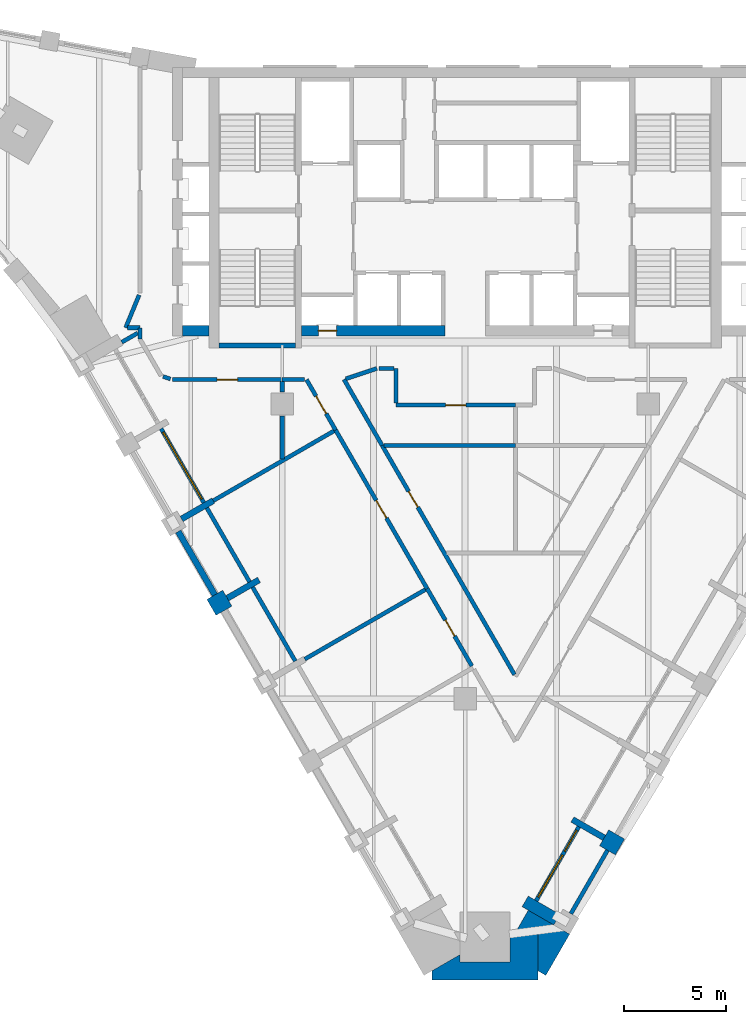
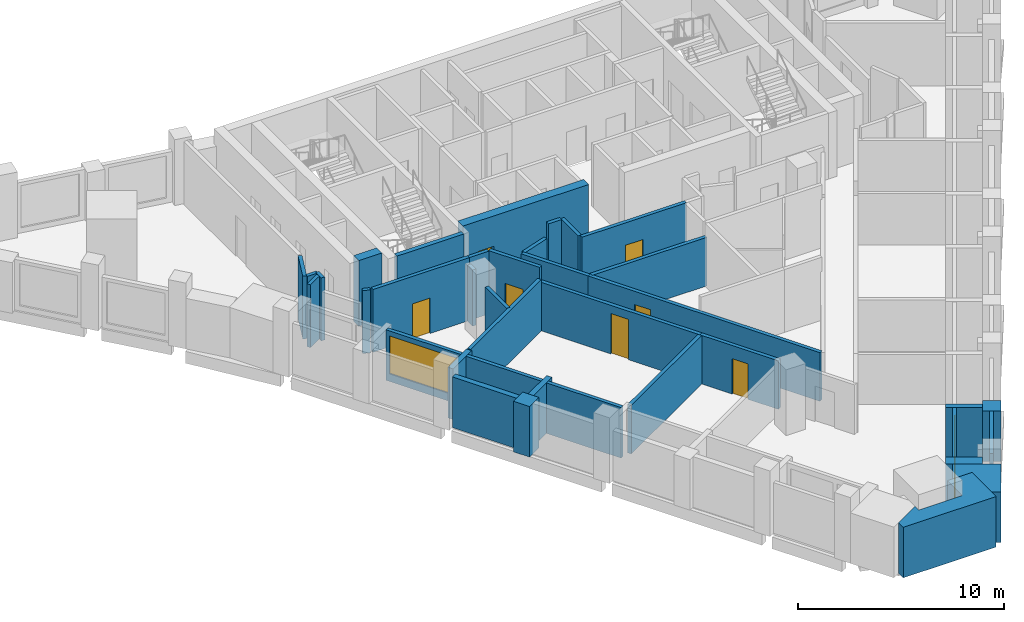
# One storey, part 3 of 9: 38 walls, 8 doors, 2 windows, 10 openings.
"""IFC4 building model written with IfcOpenShell, lengths in metres."""

from ifc_helpers import new_model, si_unit, direction, frame, frame_2d, origin, place, context, subcontext, project, spatial, polyline, rectangle, outline, extrude, material, layer, layer_set, type_object, element, fill, save


model = new_model("IFC4")

# Units and contexts
model_context = context("Model", 3, precision=1e-05, world=origin(), true_north=direction((0.0, 1.0)))
body_context = subcontext(model_context, "Body", "Model", "MODEL_VIEW")
ifc_project = project(units=[si_unit("LENGTHUNIT", "METRE"), si_unit("AREAUNIT", "SQUARE_METRE"), si_unit("VOLUMEUNIT", "CUBIC_METRE"), si_unit("PLANEANGLEUNIT", "RADIAN"), si_unit("MASSUNIT", "GRAM", prefix="KILO")], contexts=[model_context])

# Site, building, storey
site_placement = place(None, origin())
site = spatial("IfcSite", under=ifc_project, at=site_placement, CompositionType="ELEMENT")
building_placement = place(site_placement, origin())
building = spatial("IfcBuilding", under=site, at=building_placement, Name="Calabash Gate Tower", CompositionType="ELEMENT")
storey_placement = place(building_placement, frame((0.0, 0.0, 215.89990234375)))
storey = spatial("IfcBuildingStorey", under=building, at=storey_placement, Name="L51", CompositionType="ELEMENT", Elevation=215.89990234375)

# Walls
ifc_material_1 = material(Name="Terracotta brick masonry, exposed face", Category="masonry")
ifc_layer_1 = layer(ifc_material_1, 2.35009765625)
ifc_layer_set_1 = layer_set([ifc_layer_1], Name="Brick corner mass wall 2350")
wall_type_1 = type_object("IfcWallType", Name="Brick corner mass wall 2350", PredefinedType="SOLIDWALL", material=ifc_layer_set_1)
wall_1_placement = place(storey_placement, origin())
element("IfcWall", 1, at=wall_1_placement, inside=storey, type_object=wall_type_1, Name="Brick corner pier S14 2ba", PredefinedType="SOLIDWALL", context=body_context, shape_type="SweptSolid", body=[
    extrude(outline(polyline([(2.193115234375, -23.4775390625), (2.193115234375, -24.931884765625), (-0.257080078125, -24.931884765625), (-0.257080078125, -24.57958984375), (-1.63916015625, -25.377685546875), (-1.63916015625, -25.82763671875), (3.575439453125, -25.82763671875), (3.575439453125, -23.4775390625), (2.193115234375, -23.4775390625)])), origin(), (0.0, 0.0, 1.0), 3.0),
])
wall_2_placement = place(storey_placement, origin())
element("IfcWall", 2, at=wall_2_placement, inside=storey, type_object=wall_type_1, Name="Brick corner pier S14 2c", PredefinedType="SOLIDWALL", context=body_context, shape_type="SweptSolid", body=[
    extrude(outline(polyline([(5.13720703125, -23.572265625), (3.10205078125, -22.397216796875), (2.478271484375, -23.4775390625), (3.575439453125, -23.4775390625), (3.575439453125, -25.377685546875), (3.965087890625, -25.6025390625), (5.13720703125, -23.572265625)])), origin(), (0.0, 0.0, 1.0), 3.0),
])
ifc_material_2 = material(Name="Terracotta brick masonry, exposed face", Category="masonry")
ifc_layer_2 = layer(ifc_material_2, 0.89990234375)
ifc_layer_set_2 = layer_set([ifc_layer_2], Name="Brick end wall 900")
wall_type_2 = type_object("IfcWallType", Name="Brick end wall 900", PredefinedType="SOLIDWALL", material=ifc_layer_set_2)
wall_3_placement = place(storey_placement, frame((-12.479736328125, -7.501220703125, 0.0), z_axis=(0.0, 0.0, 1.0), x_axis=(0.865896406789, 0.500223362819, 0.0)))
element("IfcWall", 3, at=wall_3_placement, inside=storey, type_object=wall_type_2, Name="Brick pier S14 SW0.3", PredefinedType="SOLIDWALL", context=body_context, shape_type="SweptSolid", body=[
    extrude(rectangle(XDim=0.89990234375, YDim=0.89990234375, at=frame_2d((0.449951171875, 0.0))), origin(), (0.0, 0.0, 1.0), 3.0),
])
wall_4_placement = place(storey_placement, frame((7.6123046875, -19.285400390625, 0.0), z_axis=(0.0, 0.0, 1.0), x_axis=(-0.866081705922, 0.499902469156, 0.0)))
element("IfcWall", 4, at=wall_4_placement, inside=storey, type_object=wall_type_2, Name="Brick pier S14 SE2.1", PredefinedType="SOLIDWALL", context=body_context, shape_type="SweptSolid", body=[
    extrude(rectangle(XDim=0.900146484375, YDim=0.89990234375, at=frame_2d((0.4501953125, 0.0))), origin(), (0.0, 0.0, 1.0), 3.0),
])
ifc_material_3 = material(Name="Terracotta brick masonry, exposed face", Category="masonry")
ifc_layer_3 = layer(ifc_material_3, 0.300048828125)
ifc_layer_set_3 = layer_set([ifc_layer_3], Name="Brick infill panel wall 300")
wall_type_3 = type_object("IfcWallType", Name="Brick infill panel wall 300", PredefinedType="SOLIDWALL", material=ifc_layer_set_3)
wall_5_placement = place(storey_placement, frame((-14.114990234375, -3.768798828125, 0.0), z_axis=(0.0, 0.0, 1.0), x_axis=(0.500012057535, -0.866018442252, 0.0)))
element("IfcWall", 5, at=wall_5_placement, inside=storey, type_object=wall_type_3, Name="Brick panel S14 SW0.3", PredefinedType="SOLIDWALL", context=body_context, shape_type="SweptSolid", body=[
    extrude(rectangle(XDim=3.60009765625, YDim=0.300048828125, at=frame_2d((1.800048828125, 0.0))), origin(), (0.0, 0.0, 1.0), 3.0),
])
ifc_material_4 = material(Name="Terracotta brick masonry, exposed face", Category="masonry")
ifc_layer_4 = layer(ifc_material_4, 0.300048828125)
ifc_layer_set_4 = layer_set([ifc_layer_4], Name="Brick loggia cheek wall 300")
wall_type_4 = type_object("IfcWallType", Name="Brick loggia cheek wall 300", PredefinedType="SOLIDWALL", material=ifc_layer_set_4)
wall_6_placement = place(storey_placement, frame((-12.3916015625, -2.25390625, 0.0), z_axis=(0.0, 0.0, 1.0), x_axis=(-0.865955154139, -0.50012165622, 0.0)))
element("IfcWall", 6, at=wall_6_placement, inside=storey, type_object=wall_type_4, Name="Loggia cheek S14 SW0.2", PredefinedType="SOLIDWALL", context=body_context, shape_type="SweptSolid", body=[
    extrude(rectangle(XDim=1.7998046875, YDim=0.300048828125, at=frame_2d((0.89990234375, 0.0))), origin(), (0.0, 0.0, 1.0), 3.0),
])
wall_7_placement = place(storey_placement, frame((-10.1416015625, -6.151123046875, 0.0), z_axis=(0.0, 0.0, 1.0), x_axis=(-0.866047807691, -0.499961193289, 0.0)))
element("IfcWall", 7, at=wall_7_placement, inside=storey, type_object=wall_type_4, Name="Loggia cheek S14 SW0.3", PredefinedType="SOLIDWALL", context=body_context, shape_type="SweptSolid", body=[
    extrude(rectangle(XDim=1.800048828125, YDim=0.300048828125, at=frame_2d((0.89990234375, 0.0))), origin(), (0.0, 0.0, 1.0), 3.0),
])
wall_8_placement = place(storey_placement, frame((4.5078125, -22.8623046875, 0.0), z_axis=(0.0, 0.0, 1.0), x_axis=(-0.866047807691, 0.499961193289, 0.0)))
element("IfcWall", 8, at=wall_8_placement, inside=storey, type_object=wall_type_4, Name="Loggia cheek S14 SE2.0", PredefinedType="SOLIDWALL", context=body_context, shape_type="SweptSolid", body=[
    extrude(rectangle(XDim=1.800048828125, YDim=0.60009765625, at=frame_2d((0.89990234375, 0.0))), origin(), (0.0, 0.0, 1.0), 3.0),
])
wall_9_placement = place(storey_placement, frame((6.832763671875, -18.83544921875, 0.0), z_axis=(0.0, 0.0, 1.0), x_axis=(-0.865989075817, 0.500062916607, 0.0)))
element("IfcWall", 9, at=wall_9_placement, inside=storey, type_object=wall_type_4, Name="Loggia cheek S14 SE2.1", PredefinedType="SOLIDWALL", context=body_context, shape_type="SweptSolid", body=[
    extrude(rectangle(XDim=1.800048828125, YDim=0.300048828125, at=frame_2d((0.89990234375, 0.0))), origin(), (0.0, 0.0, 1.0), 3.0),
])
ifc_material_5 = material(Name="Concrete C70/85", Category="concrete")
ifc_layer_5 = layer(ifc_material_5, 0.25)
ifc_layer_set_5 = layer_set([ifc_layer_5], Name="Core wall 250 Concrete C70/85")
wall_type_5 = type_object("IfcWallType", Name="Core wall 250 Concrete C70/85", PredefinedType="SHEAR", material=ifc_layer_set_5)
wall_10_placement = place(storey_placement, frame((-12.10009765625, 5.377685546875, 0.0), z_axis=(0.0, 0.0, 1.0), x_axis=(1.0, 0.0, 0.0)))
element("IfcWall", 10, at=wall_10_placement, inside=storey, type_object=wall_type_5, Name="Core wall Z4-SSW L51", PredefinedType="SHEAR", context=body_context, shape_type="SweptSolid", body=[
    extrude(rectangle(XDim=3.75, YDim=0.25, at=frame_2d((1.875, 0.0))), origin(), (0.0, 0.0, 1.0), 3.900146484375),
])

# Wall, opening, door
ifc_material_6 = material(Name="Concrete C70/85", Category="concrete")
ifc_layer_6 = layer(ifc_material_6, 0.5)
ifc_layer_set_6 = layer_set([ifc_layer_6], Name="Core wall 500 Concrete C70/85")
wall_type_6 = type_object("IfcWallType", Name="Core wall 500 Concrete C70/85", PredefinedType="SHEAR", material=ifc_layer_set_6)
wall_11_placement = place(storey_placement, frame((-8.050048828125, 6.1025390625, 0.0), z_axis=(0.0, 0.0, 1.0), x_axis=(1.0, 0.0, 0.0)))
wall_11 = element("IfcWall", 11, at=wall_11_placement, inside=storey, type_object=wall_type_6, Name="Core wall Z4-SA L51", PredefinedType="SHEAR", context=body_context, shape_type="SweptSolid", body=[
    extrude(rectangle(XDim=7.050048828125, YDim=0.5, at=frame_2d((3.52490234375, 0.0))), origin(), (0.0, 0.0, 1.0), 3.900146484375),
])
opening_1_placement = place(wall_11_placement, frame((0.824951171875, 0.0, 0.0)))
opening_1 = element("IfcOpeningElement", 12, at=opening_1_placement, cuts=wall_11, Name="Opening O6-016", PredefinedType="OPENING", context=body_context, shape_type="SweptSolid", body=[
    extrude(rectangle(XDim=0.89990234375, YDim=2.10009765625, at=frame_2d((0.449951171875, 1.050048828125))), frame((0.0, 0.260009765625, 0.0), z_axis=(0.0, -1.0, 0.0), x_axis=(1.0, 0.0, 0.0)), (0.0, 0.0, 1.0), 0.52001953125),
])
ifc_material_7 = material(Name="Steel fire door set with fire-resisting glazing", Category="steel")
door_type_1 = type_object("IfcDoorType", Name="Fire door D07 900x2100 FD90", OperationType="NOTDEFINED", PredefinedType="DOOR", material=ifc_material_7)
door_1_placement = place(opening_1_placement, origin())
door_1 = element("IfcDoor", 13, at=door_1_placement, inside=storey, type_object=door_type_1, Name="Electrical Riser W door", OperationType="SINGLE_SWING_LEFT", OverallHeight=2.10009765625, OverallWidth=0.89990234375, PredefinedType="DOOR", context=body_context, shape_type="SweptSolid", body=[
    extrude(rectangle(XDim=0.89990234375, YDim=2.10009765625, at=frame_2d((0.449951171875, 1.050048828125))), frame((0.0, 0.02490234375, 0.0), z_axis=(0.0, -1.0, 0.0), x_axis=(1.0, 0.0, 0.0)), (0.0, 0.0, 1.0), 0.050048828125),
])
fill(opening_1, door_1)

# Wall
wall_12_placement = place(storey_placement, frame((-12.60009765625, 6.1025390625, 0.0), z_axis=(0.0, 0.0, 1.0), x_axis=(-1.0, 0.0, 0.0)))
element("IfcWall", 14, at=wall_12_placement, inside=storey, type_object=wall_type_6, Name="Core wall Z4-SW L51", PredefinedType="SHEAR", context=body_context, shape_type="SweptSolid", body=[
    extrude(rectangle(XDim=1.2998046875, YDim=0.5, at=frame_2d((0.64990234375, 0.0))), origin(), (0.0, 0.0, 1.0), 3.900146484375),
])

# Wall, opening, door
ifc_material_8 = material(Name="Gypsum board on steel studs, mineral wool", Category="steel")
ifc_layer_7 = layer(ifc_material_8, 0.199951171875)
ifc_layer_set_7 = layer_set([ifc_layer_7], Name="Partition 200 gypsum board EI 60")
wall_type_7 = type_object("IfcWallType", Name="Partition 200 gypsum board EI 60", PredefinedType="PARTITIONING", material=ifc_layer_set_7)
wall_13_placement = place(storey_placement, frame((-1.873291015625, -6.575927734375, 0.0), z_axis=(0.0, 0.0, 1.0), x_axis=(0.499989943423, -0.866031209874, 0.0)))
wall_13 = element("IfcWall", 15, at=wall_13_placement, inside=storey, type_object=wall_type_7, Name="Partition", PredefinedType="PARTITIONING", context=body_context, shape_type="SweptSolid", body=[
    extrude(rectangle(XDim=4.39794921875, YDim=0.199951171875, at=frame_2d((2.198974609375, 0.0))), origin(), (0.0, 0.0, 1.0), 2.88427734375),
])
opening_2_placement = place(wall_13_placement, frame((1.798095703125, 0.0, 0.0)))
opening_2 = element("IfcOpeningElement", 16, at=opening_2_placement, cuts=wall_13, Name="Opening 49-51-002", PredefinedType="OPENING", context=body_context, shape_type="SweptSolid", body=[
    extrude(rectangle(XDim=0.89990234375, YDim=2.10009765625, at=frame_2d((0.449951171875, 1.050048828125))), frame((0.0, 0.10986328125, 0.0), z_axis=(0.0, -1.0, 0.0), x_axis=(1.0, 0.0, 0.0)), (0.0, 0.0, 1.0), 0.219970703125),
])
ifc_material_9 = material(Name="Steel fire door set with fire-resisting glazing", Category="steel")
door_type_2 = type_object("IfcDoorType", Name="SD3 Store door 900x2100", OperationType="NOTDEFINED", PredefinedType="DOOR", material=ifc_material_9)
door_2_placement = place(opening_2_placement, origin())
door_2 = element("IfcDoor", 17, at=door_2_placement, inside=storey, type_object=door_type_2, Name="Store door", OperationType="SINGLE_SWING_LEFT", OverallHeight=2.10009765625, OverallWidth=0.89990234375, PredefinedType="DOOR", context=body_context, shape_type="SweptSolid", body=[
    extrude(rectangle(XDim=0.89990234375, YDim=2.10009765625, at=frame_2d((0.449951171875, 1.050048828125))), frame((0.0, 0.02490234375, 0.0), z_axis=(0.0, -1.0, 0.0), x_axis=(1.0, 0.0, 0.0)), (0.0, 0.0, 1.0), 0.050048828125),
])
fill(opening_2, door_2)

# Wall
wall_14_placement = place(storey_placement, frame((-7.891357421875, -10.04833984375, 0.0), z_axis=(0.0, 0.0, 1.0), x_axis=(0.866160062832, 0.499766691121, 0.0)))
element("IfcWall", 18, at=wall_14_placement, inside=storey, type_object=wall_type_7, Name="Partition", PredefinedType="PARTITIONING", context=body_context, shape_type="SweptSolid", body=[
    extrude(rectangle(XDim=6.847900390625, YDim=0.199951171875, at=frame_2d((3.423828125, 0.0))), origin(), (0.0, 0.0, 1.0), 2.88427734375),
])

# Wall, opening, door
wall_15_placement = place(storey_placement, frame((-6.374267578125, 1.219970703125, 0.0), z_axis=(0.0, 0.0, 1.0), x_axis=(0.5000018851, -0.866024315419, 0.0)))
wall_15 = element("IfcWall", 19, at=wall_15_placement, inside=storey, type_object=wall_type_7, Name="Partition", PredefinedType="PARTITIONING", context=body_context, shape_type="SweptSolid", body=[
    extrude(rectangle(XDim=9.0, YDim=0.199951171875, at=frame_2d((4.5, 0.0))), origin(), (0.0, 0.0, 1.0), 2.88427734375),
])
opening_3_placement = place(wall_15_placement, frame((4.0, 0.0, 0.0)))
opening_3 = element("IfcOpeningElement", 20, at=opening_3_placement, cuts=wall_15, Name="Opening 49-51-001", PredefinedType="OPENING", context=body_context, shape_type="SweptSolid", body=[
    extrude(rectangle(XDim=1.0, YDim=2.39990234375, at=frame_2d((0.5, 1.199951171875))), frame((0.0, 0.10986328125, 0.0), z_axis=(0.0, -1.0, 0.0), x_axis=(1.0, 0.0, 0.0)), (0.0, 0.0, 1.0), 0.219970703125),
])
ifc_material_10 = material(Name="Painted timber door", Category="wood")
door_type_3 = type_object("IfcDoorType", Name="OD2 Glazed office door 1000x2400", OperationType="NOTDEFINED", PredefinedType="DOOR", material=ifc_material_10)
door_3_placement = place(opening_3_placement, origin())
door_3 = element("IfcDoor", 21, at=door_3_placement, inside=storey, type_object=door_type_3, Name="Glazed office door", OperationType="SINGLE_SWING_RIGHT", OverallHeight=2.39990234375, OverallWidth=1.0, PredefinedType="DOOR", context=body_context, shape_type="SweptSolid", body=[
    extrude(rectangle(XDim=1.0, YDim=2.39990234375, at=frame_2d((0.5, 1.199951171875))), frame((0.0, 0.02490234375, 0.0), z_axis=(0.0, -1.0, 0.0), x_axis=(1.0, 0.0, 0.0)), (0.0, 0.0, 1.0), 0.050048828125),
])
fill(opening_3, door_3)

# Wall
wall_16_placement = place(storey_placement, frame((-12.3916015625, -2.253662109375, 0.0), z_axis=(0.0, 0.0, 1.0), x_axis=(0.86583110311, 0.50033638773, 0.0)))
element("IfcWall", 22, at=wall_16_placement, inside=storey, type_object=wall_type_7, Name="Partition", PredefinedType="PARTITIONING", context=body_context, shape_type="SweptSolid", body=[
    extrude(rectangle(XDim=6.849365234375, YDim=0.199951171875, at=frame_2d((3.4248046875, 0.0))), origin(), (0.0, 0.0, 1.0), 3.052001953125),
])

# Wall, opening, door
wall_17_placement = place(storey_placement, frame((-4.085693359375, 0.464111328125, 0.0), z_axis=(0.0, 0.0, 1.0), x_axis=(0.499999074482, -0.866025938132, 0.0)))
wall_17 = element("IfcWall", 23, at=wall_17_placement, inside=storey, type_object=wall_type_7, Name="Partition", PredefinedType="PARTITIONING", context=body_context, shape_type="SweptSolid", body=[
    extrude(rectangle(XDim=13.01318359375, YDim=0.199951171875, at=frame_2d((6.506591796875, 0.0))), origin(), (0.0, 0.0, 1.0), 2.88427734375),
])
opening_4_placement = place(wall_17_placement, frame((2.607421875, 0.0, 0.0)))
opening_4 = element("IfcOpeningElement", 24, at=opening_4_placement, cuts=wall_17, Name="Opening 49-51-008", PredefinedType="OPENING", context=body_context, shape_type="SweptSolid", body=[
    extrude(rectangle(XDim=0.89990234375, YDim=2.10009765625, at=frame_2d((0.449951171875, 1.050048828125))), frame((0.0, 0.10986328125, 0.0), z_axis=(0.0, -1.0, 0.0), x_axis=(1.0, 0.0, 0.0)), (0.0, 0.0, 1.0), 0.219970703125),
])
door_4_placement = place(opening_4_placement, origin())
door_4 = element("IfcDoor", 25, at=door_4_placement, inside=storey, type_object=door_type_2, Name="Store door", OperationType="SINGLE_SWING_LEFT", OverallHeight=2.10009765625, OverallWidth=0.89990234375, PredefinedType="DOOR", context=body_context, shape_type="SweptSolid", body=[
    extrude(rectangle(XDim=0.89990234375, YDim=2.10009765625, at=frame_2d((0.449951171875, 1.050048828125))), frame((0.0, 0.02490234375, 0.0), z_axis=(0.0, -1.0, 0.0), x_axis=(1.0, 0.0, 0.0)), (0.0, 0.0, 1.0), 0.050048828125),
])
fill(opening_4, door_4)

# Wall
wall_18_placement = place(storey_placement, frame((-3.98583984375, 0.464111328125, 0.0), z_axis=(0.0, 0.0, 1.0), x_axis=(1.0, 0.0, 0.0)))
element("IfcWall", 26, at=wall_18_placement, inside=storey, type_object=wall_type_7, Name="Partition", PredefinedType="PARTITIONING", context=body_context, shape_type="SweptSolid", body=[
    extrude(rectangle(XDim=6.45166015625, YDim=0.199951171875, at=frame_2d((3.225830078125, 0.0))), origin(), (0.0, 0.0, 1.0), 2.88427734375),
])

# Wall, opening, door
wall_19_placement = place(storey_placement, frame((-7.80419921875, 3.699462890625, 0.0), z_axis=(0.0, 0.0, 1.0), x_axis=(0.500020309772, -0.866013677614, 0.0)))
wall_19 = element("IfcWall", 27, at=wall_19_placement, inside=storey, type_object=wall_type_7, Name="Partition", PredefinedType="PARTITIONING", context=body_context, shape_type="SweptSolid", body=[
    extrude(rectangle(XDim=2.86181640625, YDim=0.199951171875, at=frame_2d((1.430908203125, 0.0))), origin(), (0.0, 0.0, 1.0), 3.72998046875),
])
opening_5_placement = place(wall_19_placement, frame((0.931884765625, 0.0, 0.0)))
opening_5 = element("IfcOpeningElement", 28, at=opening_5_placement, cuts=wall_19, Name="Opening 49-51-012", PredefinedType="OPENING", context=body_context, shape_type="SweptSolid", body=[
    extrude(rectangle(XDim=1.0, YDim=2.10009765625, at=frame_2d((0.5, 1.050048828125))), frame((0.0, 0.10986328125, 0.0), z_axis=(0.0, -1.0, 0.0), x_axis=(1.0, 0.0, 0.0)), (0.0, 0.0, 1.0), 0.219970703125),
])
ifc_material_11 = material(Name="Steel fire door set with fire-resisting glazing", Category="steel")
door_type_4 = type_object("IfcDoorType", Name="LD2 Meeting room door 1000x2100", OperationType="NOTDEFINED", PredefinedType="DOOR", material=ifc_material_11)
door_5_placement = place(opening_5_placement, origin())
door_5 = element("IfcDoor", 29, at=door_5_placement, inside=storey, type_object=door_type_4, Name="Meeting room door", OperationType="SINGLE_SWING_RIGHT", OverallHeight=2.10009765625, OverallWidth=1.0, PredefinedType="DOOR", context=body_context, shape_type="SweptSolid", body=[
    extrude(rectangle(XDim=1.0, YDim=2.10009765625, at=frame_2d((0.5, 1.050048828125))), frame((0.0, 0.02490234375, 0.0), z_axis=(0.0, -1.0, 0.0), x_axis=(1.0, 0.0, 0.0)), (0.0, 0.0, 1.0), 0.050048828125),
])
fill(opening_5, door_5)

# Wall
wall_20_placement = place(storey_placement, frame((-8.999755859375, 1.89990234375, 0.0), z_axis=(0.0, 0.0, 1.0), x_axis=(0.000816802528, -0.999999666417, 0.0)))
element("IfcWall", 30, at=wall_20_placement, inside=storey, type_object=wall_type_7, Name="Partition", PredefinedType="PARTITIONING", context=body_context, shape_type="SweptSolid", body=[
    extrude(rectangle(XDim=2.09228515625, YDim=0.199951171875, at=frame_2d((1.046142578125, 0.0))), origin(), (0.0, 0.0, 1.0), 3.052001953125),
])

# Wall, opening, door
wall_21_placement = place(storey_placement, frame((-3.400146484375, 2.452392578125, 0.0), z_axis=(0.0, 0.0, 1.0), x_axis=(0.999999957561, -0.000291338898, 0.0)))
wall_21 = element("IfcWall", 31, at=wall_21_placement, inside=storey, type_object=wall_type_7, Name="Partition", PredefinedType="PARTITIONING", context=body_context, shape_type="SweptSolid", body=[
    extrude(rectangle(XDim=5.865966796875, YDim=0.199951171875, at=frame_2d((2.93310546875, 0.0))), origin(), (0.0, 0.0, 1.0), 3.72998046875),
])
opening_6_placement = place(wall_21_placement, frame((2.432861328125, 0.0, 0.0)))
opening_6 = element("IfcOpeningElement", 32, at=opening_6_placement, cuts=wall_21, Name="Opening 49-51-006", PredefinedType="OPENING", context=body_context, shape_type="SweptSolid", body=[
    extrude(rectangle(XDim=1.0, YDim=2.39990234375, at=frame_2d((0.5, 1.199951171875))), frame((0.0, 0.10986328125, 0.0), z_axis=(0.0, -1.0, 0.0), x_axis=(1.0, 0.0, 0.0)), (0.0, 0.0, 1.0), 0.219970703125),
])
door_6_placement = place(opening_6_placement, origin())
door_6 = element("IfcDoor", 33, at=door_6_placement, inside=storey, type_object=door_type_3, Name="Glazed office door", OperationType="SINGLE_SWING_RIGHT", OverallHeight=2.39990234375, OverallWidth=1.0, PredefinedType="DOOR", context=body_context, shape_type="SweptSolid", body=[
    extrude(rectangle(XDim=1.0, YDim=2.39990234375, at=frame_2d((0.5, 1.199951171875))), frame((0.0, 0.02490234375, 0.0), z_axis=(0.0, -1.0, 0.0), x_axis=(1.0, 0.0, 0.0)), (0.0, 0.0, 1.0), 0.050048828125),
])
fill(opening_6, door_6)

# Walls
wall_22_placement = place(storey_placement, frame((-3.402099609375, 4.25048828125, 0.0), z_axis=(0.0, 0.0, 1.0), x_axis=(0.001150250857, -0.999999338461, 0.0)))
element("IfcWall", 34, at=wall_22_placement, inside=storey, type_object=wall_type_7, Name="Partition", PredefinedType="PARTITIONING", context=body_context, shape_type="SweptSolid", body=[
    extrude(rectangle(XDim=1.697998046875, YDim=0.199951171875, at=frame_2d((0.84912109375, 0.0))), origin(), (0.0, 0.0, 1.0), 3.72998046875),
])
wall_23_placement = place(storey_placement, frame((-8.999755859375, 3.10009765625, 0.0), z_axis=(0.0, 0.0, 1.0), x_axis=(0.00293253871, 0.999995700099, 0.0)))
element("IfcWall", 35, at=wall_23_placement, inside=storey, type_object=wall_type_7, Name="Partition", PredefinedType="PARTITIONING", context=body_context, shape_type="SweptSolid", body=[
    extrude(rectangle(XDim=0.49951171875, YDim=0.199951171875, at=frame_2d((0.249755859375, 0.0))), origin(), (0.0, 0.0, 1.0), 3.331787109375),
])

# Wall, opening, door
wall_24_placement = place(storey_placement, frame((-14.400146484375, 3.699462890625, 0.0), z_axis=(0.0, 0.0, 1.0), x_axis=(0.999999963209, -0.000271259993, 0.0)))
wall_24 = element("IfcWall", 36, at=wall_24_placement, inside=storey, type_object=wall_type_7, Name="Partition", PredefinedType="PARTITIONING", context=body_context, shape_type="SweptSolid", body=[
    extrude(rectangle(XDim=5.400146484375, YDim=0.199951171875, at=frame_2d((2.7001953125, 0.0))), origin(), (0.0, 0.0, 1.0), 3.72998046875),
])
opening_7_placement = place(wall_24_placement, frame((2.201171875, 0.0, 0.0)))
opening_7 = element("IfcOpeningElement", 37, at=opening_7_placement, cuts=wall_24, Name="Opening 49-51-011", PredefinedType="OPENING", context=body_context, shape_type="SweptSolid", body=[
    extrude(rectangle(XDim=1.0, YDim=2.10009765625, at=frame_2d((0.5, 1.050048828125))), frame((0.0, 0.10986328125, 0.0), z_axis=(0.0, -1.0, 0.0), x_axis=(1.0, 0.0, 0.0)), (0.0, 0.0, 1.0), 0.219970703125),
])
door_7_placement = place(opening_7_placement, origin())
door_7 = element("IfcDoor", 38, at=door_7_placement, inside=storey, type_object=door_type_4, Name="Meeting room door", OperationType="SINGLE_SWING_LEFT", OverallHeight=2.10009765625, OverallWidth=1.0, PredefinedType="DOOR", context=body_context, shape_type="SweptSolid", body=[
    extrude(rectangle(XDim=1.0, YDim=2.10009765625, at=frame_2d((0.5, 1.050048828125))), frame((0.0, 0.02490234375, 0.0), z_axis=(0.0, -1.0, 0.0), x_axis=(1.0, 0.0, 0.0)), (0.0, 0.0, 1.0), 0.050048828125),
])
fill(opening_7, door_7)

# Walls
wall_25_placement = place(storey_placement, frame((-8.999755859375, 3.697998046875, 0.0), z_axis=(0.0, 0.0, 1.0), x_axis=(0.999999105954, 0.001337195149, 0.0)))
element("IfcWall", 39, at=wall_25_placement, inside=storey, type_object=wall_type_7, Name="Partition", PredefinedType="PARTITIONING", context=body_context, shape_type="SweptSolid", body=[
    extrude(rectangle(XDim=1.095458984375, YDim=0.199951171875, at=frame_2d((0.5478515625, 0.0))), origin(), (0.0, 0.0, 1.0), 3.72998046875),
])
wall_26_placement = place(storey_placement, frame((-5.963134765625, 3.712158203125, 0.0), z_axis=(0.0, 0.0, 1.0), x_axis=(0.500417539209, -0.865784203166, 0.0)))
element("IfcWall", 40, at=wall_26_placement, inside=storey, type_object=wall_type_7, Name="Partition", PredefinedType="PARTITIONING", context=body_context, shape_type="SweptSolid", body=[
    extrude(rectangle(XDim=3.749267578125, YDim=0.199951171875, at=frame_2d((1.87451171875, 0.0))), origin(), (0.0, 0.0, 1.0), 2.88427734375),
])
wall_27_placement = place(storey_placement, frame((-14.859619140625, 3.852783203125, 0.0), z_axis=(0.0, 0.0, 1.0), x_axis=(0.948619741075, -0.316418373111, 0.0)))
element("IfcWall", 41, at=wall_27_placement, inside=storey, type_object=wall_type_7, Name="Partition", PredefinedType="PARTITIONING", context=body_context, shape_type="SweptSolid", body=[
    extrude(rectangle(XDim=0.38427734375, YDim=0.199951171875, at=frame_2d((0.192138671875, 0.0))), origin(), (0.0, 0.0, 1.0), 3.72998046875),
])
wall_28_placement = place(storey_placement, frame((-5.8681640625, 3.74365234375, 0.0), z_axis=(0.0, 0.0, 1.0), x_axis=(0.948652936785, 0.316318835242, 0.0)))
element("IfcWall", 42, at=wall_28_placement, inside=storey, type_object=wall_type_7, Name="Partition", PredefinedType="PARTITIONING", context=body_context, shape_type="SweptSolid", body=[
    extrude(rectangle(XDim=1.6083984375, YDim=0.199951171875, at=frame_2d((0.80419921875, 0.0))), origin(), (0.0, 0.0, 1.0), 2.88427734375),
])
wall_29_placement = place(storey_placement, frame((-4.2421875, 4.252197265625, 0.0), z_axis=(0.0, 0.0, 1.0), x_axis=(0.999998041999, -0.001978887946, 0.0)))
element("IfcWall", 43, at=wall_29_placement, inside=storey, type_object=wall_type_7, Name="Partition", PredefinedType="PARTITIONING", context=body_context, shape_type="SweptSolid", body=[
    extrude(rectangle(XDim=0.740234375, YDim=0.199951171875, at=frame_2d((0.3701171875, 0.0))), origin(), (0.0, 0.0, 1.0), 3.72998046875),
])
wall_30_placement = place(storey_placement, frame((-16.00048828125, 6.252197265625, 0.0), z_axis=(0.0, 0.0, 1.0), x_axis=(0.0, -1.0, 0.0)))
element("IfcWall", 44, at=wall_30_placement, inside=storey, type_object=wall_type_7, Name="Partition", PredefinedType="PARTITIONING", context=body_context, shape_type="SweptSolid", body=[
    extrude(rectangle(XDim=0.55615234375, YDim=0.199951171875, at=frame_2d((0.278076171875, 0.0))), origin(), (0.0, 0.0, 1.0), 3.72998046875),
])
wall_31_placement = place(storey_placement, frame((-16.891357421875, 5.5400390625, 0.0), z_axis=(0.0, 0.0, 1.0), x_axis=(0.866839797448, 0.498586768337, 0.0)))
element("IfcWall", 45, at=wall_31_placement, inside=storey, type_object=wall_type_7, Name="Partition", PredefinedType="PARTITIONING", context=body_context, shape_type="SweptSolid", body=[
    extrude(rectangle(XDim=0.912353515625, YDim=0.199951171875, at=frame_2d((0.4560546875, 0.0))), origin(), (0.0, 0.0, 1.0), 3.72998046875),
])
wall_32_placement = place(storey_placement, frame((-16.700439453125, 6.252685546875, 0.0), z_axis=(0.0, 0.0, 1.0), x_axis=(0.380742741509, 0.924681007044, 0.0)))
element("IfcWall", 46, at=wall_32_placement, inside=storey, type_object=wall_type_7, Name="Partition", PredefinedType="PARTITIONING", context=body_context, shape_type="SweptSolid", body=[
    extrude(rectangle(XDim=1.73828125, YDim=0.199951171875, at=frame_2d((0.869140625, 0.0))), origin(), (0.0, 0.0, 1.0), 3.72998046875),
])
wall_33_placement = place(storey_placement, frame((-16.6005859375, 6.25244140625, 0.0), z_axis=(0.0, 0.0, 1.0), x_axis=(0.999999917243, -0.000406834791, 0.0)))
element("IfcWall", 47, at=wall_33_placement, inside=storey, type_object=wall_type_7, Name="Partition", PredefinedType="PARTITIONING", context=body_context, shape_type="SweptSolid", body=[
    extrude(rectangle(XDim=0.60009765625, YDim=0.199951171875, at=frame_2d((0.300048828125, 0.0))), origin(), (0.0, 0.0, 1.0), 3.72998046875),
])
ifc_material_12 = material(Name="Terracotta brick masonry, perforated", Category="masonry")
ifc_layer_8 = layer(ifc_material_12, 0.199951171875)
ifc_layer_set_8 = layer_set([ifc_layer_8], Name="Terracotta jaali screen B")
wall_type_8 = type_object("IfcWallType", Name="Terracotta jaali screen B", PredefinedType="SOLIDWALL", material=ifc_layer_set_8)
wall_34_placement = place(storey_placement, origin())
element("IfcWall", 48, at=wall_34_placement, inside=storey, type_object=wall_type_8, Name="SCREEN B S14 SE2.1", PredefinedType="SOLIDWALL", context=body_context, shape_type="SweptSolid", body=[
    extrude(outline(polyline([(6.910888671875, -19.400146484375), (5.111328125, -22.517333984375), (5.284423828125, -22.6171875), (7.084228515625, -19.5), (6.910888671875, -19.400146484375)])), origin(), (0.0, 0.0, 1.0), 3.0),
])

# Wall, opening, window
ifc_material_13 = material(Name="Aluminium framed window wall with insulated spandrel", Category="aluminium")
ifc_layer_9 = layer(ifc_material_13, 0.199951171875)
ifc_layer_set_9 = layer_set([ifc_layer_9], Name="Window wall 200")
wall_type_9 = type_object("IfcWallType", Name="Window wall 200", PredefinedType="ELEMENTEDWALL", material=ifc_layer_set_9)
wall_35_placement = place(storey_placement, frame((-14.956298828125, 1.2880859375, 0.0), z_axis=(0.0, 0.0, 1.0), x_axis=(0.500027713859, -0.866009402589, 0.0)))
wall_35 = element("IfcWall", 49, at=wall_35_placement, inside=storey, type_object=wall_type_9, Name="Window wall S14 SW0.2", PredefinedType="ELEMENTEDWALL", context=body_context, shape_type="SweptSolid", body=[
    extrude(rectangle(XDim=4.199951171875, YDim=0.199951171875, at=frame_2d((2.10009765625, 0.0))), origin(), (0.0, 0.0, 1.0), 3.0),
])
opening_8_placement = place(wall_35_placement, frame((0.199951171875, 0.0, 0.449951171875)))
opening_8 = element("IfcOpeningElement", 50, at=opening_8_placement, cuts=wall_35, Name="Opening OW2", PredefinedType="OPENING", context=body_context, shape_type="SweptSolid", body=[
    extrude(rectangle(XDim=3.800048828125, YDim=2.25, at=frame_2d((1.89990234375, 1.125))), frame((0.0, 0.10986328125, 0.0), z_axis=(0.0, -1.0, 0.0), x_axis=(1.0, 0.0, 0.0)), (0.0, 0.0, 1.0), 0.219970703125),
])
ifc_material_14 = material(Name="Anodised aluminium frame, bronze finish, impact-rated laminated clear glazing", Category="aluminium")
window_type_1 = type_object("IfcWindowType", Name="Window OW2 3800x2250", PartitioningType="TRIPLE_PANEL_VERTICAL", PredefinedType="WINDOW", material=ifc_material_14)
window_1_placement = place(opening_8_placement, origin())
window_1 = element("IfcWindow", 51, at=window_1_placement, inside=storey, type_object=window_type_1, Name="Window OW2 S14 SW0.2", OverallHeight=2.25, OverallWidth=3.800048828125, PartitioningType="SINGLE_PANEL", PredefinedType="WINDOW", context=body_context, shape_type="SweptSolid", body=[
    extrude(rectangle(XDim=3.800048828125, YDim=2.25, at=frame_2d((1.89990234375, 1.125))), frame((0.0, 0.030029296875, 0.0), z_axis=(0.0, -1.0, 0.0), x_axis=(1.0, 0.0, 0.0)), (0.0, 0.0, 1.0), 0.06005859375),
])
fill(opening_8, window_1)

# Walls
wall_36_placement = place(storey_placement, frame((-12.706298828125, -2.60888671875, 0.0), z_axis=(0.0, 0.0, 1.0), x_axis=(0.500002543286, -0.866023935413, 0.0)))
element("IfcWall", 52, at=wall_36_placement, inside=storey, type_object=wall_type_9, Name="Window wall S14 SW0.3", PredefinedType="ELEMENTEDWALL", context=body_context, shape_type="SweptSolid", body=[
    extrude(rectangle(XDim=4.2001953125, YDim=0.199951171875, at=frame_2d((2.10009765625, 0.0))), origin(), (0.0, 0.0, 1.0), 3.0),
])
wall_37_placement = place(storey_placement, frame((-10.456298828125, -6.506103515625, 0.0), z_axis=(0.0, 0.0, 1.0), x_axis=(0.500027713859, -0.866009402589, 0.0)))
element("IfcWall", 53, at=wall_37_placement, inside=storey, type_object=wall_type_9, Name="Window wall S14 SW0.4", PredefinedType="ELEMENTEDWALL", context=body_context, shape_type="SweptSolid", body=[
    extrude(rectangle(XDim=4.199951171875, YDim=0.199951171875, at=frame_2d((2.10009765625, 0.0))), origin(), (0.0, 0.0, 1.0), 3.0),
])

# Wall, openings, door, window
wall_38_placement = place(storey_placement, frame((3.48876953125, -21.927490234375, 0.0), z_axis=(0.0, 0.0, 1.0), x_axis=(0.500027713859, 0.866009402589, 0.0)))
wall_38 = element("IfcWall", 54, at=wall_38_placement, inside=storey, type_object=wall_type_9, Name="Window wall S14 SE2.1", PredefinedType="ELEMENTEDWALL", context=body_context, shape_type="SweptSolid", body=[
    extrude(rectangle(XDim=4.199951171875, YDim=0.199951171875, at=frame_2d((2.10009765625, 0.0))), origin(), (0.0, 0.0, 1.0), 3.0),
])
opening_9_placement = place(wall_38_placement, frame((0.199951171875, 0.0, 0.449951171875)))
opening_9 = element("IfcOpeningElement", 55, at=opening_9_placement, cuts=wall_38, Name="Opening OW1", PredefinedType="OPENING", context=body_context, shape_type="SweptSolid", body=[
    extrude(rectangle(XDim=2.39990234375, YDim=2.25, at=frame_2d((1.199951171875, 1.125))), frame((0.0, 0.10986328125, 0.0), z_axis=(0.0, -1.0, 0.0), x_axis=(1.0, 0.0, 0.0)), (0.0, 0.0, 1.0), 0.219970703125),
])
opening_10_placement = place(wall_38_placement, frame((2.800048828125, 0.0, 0.0)))
opening_10 = element("IfcOpeningElement", 56, at=opening_10_placement, cuts=wall_38, Name="Opening O6-022", PredefinedType="OPENING", context=body_context, shape_type="SweptSolid", body=[
    extrude(rectangle(XDim=1.199951171875, YDim=2.699951171875, at=frame_2d((0.60009765625, 1.35009765625))), frame((0.0, 0.10986328125, 0.0), z_axis=(0.0, -1.0, 0.0), x_axis=(1.0, 0.0, 0.0)), (0.0, 0.0, 1.0), 0.219970703125),
])
ifc_material_15 = material(Name="Anodised aluminium frame, bronze finish, impact-rated laminated clear glazing", Category="aluminium")
door_type_5 = type_object("IfcDoorType", Name="Loggia door DO1 1200x2700", OperationType="SLIDING_TO_LEFT", PredefinedType="DOOR", material=ifc_material_15)
door_8_placement = place(opening_10_placement, origin())
door_8 = element("IfcDoor", 57, at=door_8_placement, inside=storey, type_object=door_type_5, Name="Loggia door S14 SE2.1", OperationType="SINGLE_SWING_LEFT", OverallHeight=2.699951171875, OverallWidth=1.199951171875, PredefinedType="DOOR", context=body_context, shape_type="SweptSolid", body=[
    extrude(rectangle(XDim=1.199951171875, YDim=2.699951171875, at=frame_2d((0.60009765625, 1.35009765625))), frame((0.0, 0.02490234375, 0.0), z_axis=(0.0, -1.0, 0.0), x_axis=(1.0, 0.0, 0.0)), (0.0, 0.0, 1.0), 0.050048828125),
])
fill(opening_10, door_8)
ifc_material_16 = material(Name="Anodised aluminium frame, bronze finish, impact-rated laminated clear glazing", Category="aluminium")
window_type_2 = type_object("IfcWindowType", Name="Window OW1 2400x2250", PartitioningType="DOUBLE_PANEL_VERTICAL", PredefinedType="WINDOW", material=ifc_material_16)
window_2_placement = place(opening_9_placement, origin())
window_2 = element("IfcWindow", 58, at=window_2_placement, inside=storey, type_object=window_type_2, Name="Window OW1 S14 SE2.1", OverallHeight=2.25, OverallWidth=2.39990234375, PartitioningType="SINGLE_PANEL", PredefinedType="WINDOW", context=body_context, shape_type="SweptSolid", body=[
    extrude(rectangle(XDim=2.39990234375, YDim=2.25, at=frame_2d((1.199951171875, 1.125))), frame((0.0, 0.030029296875, 0.0), z_axis=(0.0, -1.0, 0.0), x_axis=(1.0, 0.0, 0.0)), (0.0, 0.0, 1.0), 0.06005859375),
])
fill(opening_9, window_2)

save(model, "model.ifc")
